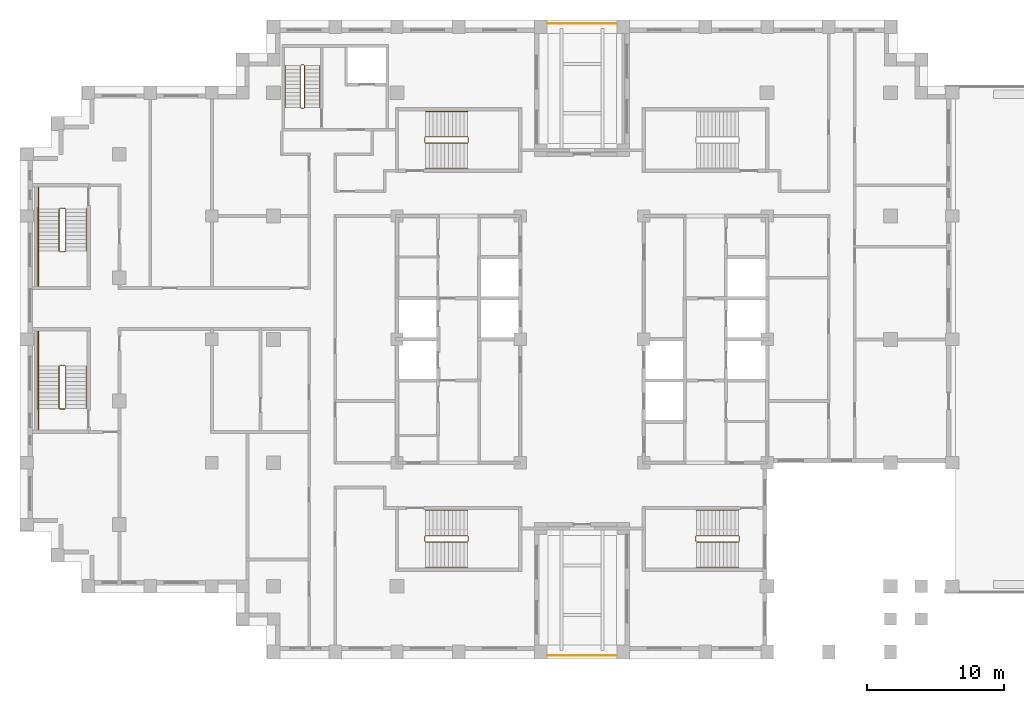
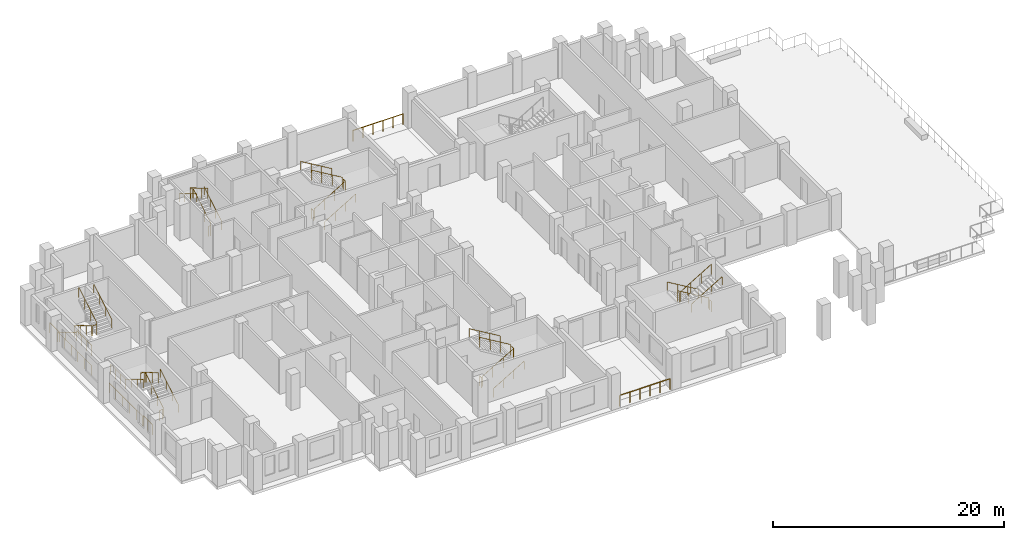
# One storey, part 11 of 12: 8 railings.
"""IFC4 building model written with IfcOpenShell, lengths in metres."""

from ifc_helpers import new_model, si_unit, direction, frame, origin, origin_2d, place, context, subcontext, project, spatial, circle, extrude, material, type_object, element, save


model = new_model("IFC4")

# Units and contexts
model_context = context("Model", 3, precision=1e-05, world=origin(), true_north=direction((0.0, 1.0)))
body_context = subcontext(model_context, "Body", "Model", "MODEL_VIEW")
ifc_project = project(units=[si_unit("LENGTHUNIT", "METRE"), si_unit("AREAUNIT", "SQUARE_METRE"), si_unit("VOLUMEUNIT", "CUBIC_METRE"), si_unit("PLANEANGLEUNIT", "RADIAN"), si_unit("MASSUNIT", "GRAM", prefix="KILO")], contexts=[model_context])

# Site, building, storey
site_placement = place(None, origin())
site = spatial("IfcSite", under=ifc_project, at=site_placement, CompositionType="ELEMENT")
building_placement = place(site_placement, origin())
building = spatial("IfcBuilding", under=site, at=building_placement, Name="Corbelhall Arena Tower", CompositionType="ELEMENT")
storey_placement = place(building_placement, frame((0.0, 0.0, 184.0)))
storey = spatial("IfcBuildingStorey", under=building, at=storey_placement, Name="L37", CompositionType="ELEMENT", Elevation=184.0)

# Railings
ifc_material = material(Name="Steel ASTM A500 Gr C", Category="steel")
railing_type_1 = type_object("IfcRailingType", Name="EV-GD1 Terrace guard 1100", PredefinedType="GUARDRAIL", material=ifc_material)
for number, where, name in (
    (1, (-2.5, 23.050048828125, 0.0), "Guard"),
    (2, (-2.5, -23.050048828125, 0.0), "Guard"),
):
    element("IfcRailing", number, at=place(storey_placement, frame(where)), inside=storey, type_object=railing_type_1, Name=name, PredefinedType="GUARDRAIL", context=body_context, shape_type="SweptSolid", body=[
        extrude(circle(Radius=0.02392578125, at=origin_2d()), frame((0.0, 0.0, 1.1259765625), z_axis=(1.0, 0.0, 0.0), x_axis=(0.0, 1.0, 0.0)), (0.0, 0.0, 1.0), 5.0),
        extrude(circle(Radius=0.02099609375, at=origin_2d()), origin(), (0.0, 0.0, 1.0), 1.101806640625),
        extrude(circle(Radius=0.02099609375, at=origin_2d()), frame((1.0, 0.0, 0.0)), (0.0, 0.0, 1.0), 1.101806640625),
        extrude(circle(Radius=0.02099609375, at=origin_2d()), frame((2.0, 0.0, 0.0)), (0.0, 0.0, 1.0), 1.101806640625),
        extrude(circle(Radius=0.02099609375, at=origin_2d()), frame((3.0, 0.0, 0.0)), (0.0, 0.0, 1.0), 1.101806640625),
        extrude(circle(Radius=0.02099609375, at=origin_2d()), frame((4.0, 0.0, 0.0)), (0.0, 0.0, 1.0), 1.101806640625),
        extrude(circle(Radius=0.02099609375, at=origin_2d()), frame((5.0, 0.0, 0.0)), (0.0, 0.0, 1.0), 1.101806640625),
    ])
railing_type_2 = type_object("IfcRailingType", Name="IN-GD-1100", PredefinedType="GUARDRAIL", material=ifc_material)
railing_1_placement = place(storey_placement, frame((-11.425048828125, 14.324951171875, 0.166748046875)))
element("IfcRailing", 3, at=railing_1_placement, inside=storey, type_object=railing_type_2, Name="L37 ST1 stair guards and handrails", PredefinedType="GUARDRAIL", context=body_context, shape_type="SweptSolid", body=[
    extrude(circle(Radius=0.02392578125, at=origin_2d()), frame((0.0, 0.0, 1.076171875), z_axis=(0.859308565015, 0.0, 0.511457515432), x_axis=(0.0, 1.0, 0.0)), (0.0, 0.0, 1.0), 3.58447265625),
    extrude(circle(Radius=0.02392578125, at=origin_2d()), frame((3.130126953125, 0.050048828125, 2.9091796875), z_axis=(0.0, 1.0, 0.0), x_axis=(-1.0, 0.0, 0.0)), (0.0, 0.0, 1.0), 0.35009765625),
    extrude(circle(Radius=0.02392578125, at=origin_2d()), frame((3.080078125, 0.449951171875, 3.076171875), z_axis=(-0.859308565015, 0.0, 0.511457515432), x_axis=(0.0, -1.0, 0.0)), (0.0, 0.0, 1.0), 3.58447265625),
    extrude(circle(Radius=0.02392578125, at=origin_2d()), frame((-0.050048828125, 0.050048828125, 0.9091796875), z_axis=(0.0, 1.0, 0.0), x_axis=(-1.0, 0.0, 0.0)), (0.0, 0.0, 1.0), 0.35009765625),
    extrude(circle(Radius=0.02392578125, at=origin_2d()), frame((0.0, -1.849853515625, 0.8759765625), z_axis=(0.859308565015, 0.0, 0.511457515432), x_axis=(0.0, 1.0, 0.0)), (0.0, 0.0, 1.0), 3.58447265625),
    extrude(circle(Radius=0.02392578125, at=origin_2d()), frame((3.080078125, 2.300048828125, 2.8759765625), z_axis=(-0.859308565015, 0.0, 0.511457515432), x_axis=(0.0, -1.0, 0.0)), (0.0, 0.0, 1.0), 3.58447265625),
    extrude(circle(Radius=0.02099609375, at=origin_2d()), origin(), (0.0, 0.0, 1.0), 1.052001953125),
    extrude(circle(Radius=0.02099609375, at=origin_2d()), frame((1.026611328125, 0.0, 0.611083984375)), (0.0, 0.0, 1.0), 1.052001953125),
    extrude(circle(Radius=0.02099609375, at=origin_2d()), frame((2.053466796875, 0.0, 1.22216796875)), (0.0, 0.0, 1.0), 1.052001953125),
    extrude(circle(Radius=0.02099609375, at=origin_2d()), frame((3.080078125, 0.0, 1.833251953125)), (0.0, 0.0, 1.0), 1.052001953125),
    extrude(circle(Radius=0.02099609375, at=origin_2d()), frame((3.130126953125, 0.050048828125, 1.833251953125)), (0.0, 0.0, 1.0), 1.052001953125),
    extrude(circle(Radius=0.02099609375, at=origin_2d()), frame((3.130126953125, 0.400146484375, 1.833251953125)), (0.0, 0.0, 1.0), 1.052001953125),
    extrude(circle(Radius=0.02099609375, at=origin_2d()), frame((3.080078125, 0.449951171875, 2.0)), (0.0, 0.0, 1.0), 1.052001953125),
    extrude(circle(Radius=0.02099609375, at=origin_2d()), frame((2.053466796875, 0.449951171875, 2.611083984375)), (0.0, 0.0, 1.0), 1.052001953125),
    extrude(circle(Radius=0.02099609375, at=origin_2d()), frame((1.026611328125, 0.449951171875, 3.22216796875)), (0.0, 0.0, 1.0), 1.052001953125),
    extrude(circle(Radius=0.02099609375, at=origin_2d()), frame((0.0, 0.449951171875, 3.833251953125)), (0.0, 0.0, 1.0), 1.052001953125),
    extrude(circle(Radius=0.02099609375, at=origin_2d()), frame((-0.050048828125, 0.050048828125, -0.166748046875)), (0.0, 0.0, 1.0), 1.052001953125),
    extrude(circle(Radius=0.02099609375, at=origin_2d()), frame((-0.050048828125, 0.400146484375, -0.166748046875)), (0.0, 0.0, 1.0), 1.052001953125),
    extrude(circle(Radius=0.02099609375, at=origin_2d()), frame((0.0, -1.849853515625, 0.0)), (0.0, 0.0, 1.0), 0.851806640625),
    extrude(circle(Radius=0.02099609375, at=origin_2d()), frame((1.026611328125, -1.849853515625, 0.611083984375)), (0.0, 0.0, 1.0), 0.851806640625),
    extrude(circle(Radius=0.02099609375, at=origin_2d()), frame((2.053466796875, -1.849853515625, 1.22216796875)), (0.0, 0.0, 1.0), 0.851806640625),
    extrude(circle(Radius=0.02099609375, at=origin_2d()), frame((3.080078125, -1.849853515625, 1.833251953125)), (0.0, 0.0, 1.0), 0.851806640625),
    extrude(circle(Radius=0.02099609375, at=origin_2d()), frame((3.080078125, 2.300048828125, 2.0)), (0.0, 0.0, 1.0), 0.851806640625),
    extrude(circle(Radius=0.02099609375, at=origin_2d()), frame((2.053466796875, 2.300048828125, 2.611083984375)), (0.0, 0.0, 1.0), 0.851806640625),
    extrude(circle(Radius=0.02099609375, at=origin_2d()), frame((1.026611328125, 2.300048828125, 3.22216796875)), (0.0, 0.0, 1.0), 0.851806640625),
    extrude(circle(Radius=0.02099609375, at=origin_2d()), frame((0.0, 2.300048828125, 3.833251953125)), (0.0, 0.0, 1.0), 0.851806640625),
])
railing_2_placement = place(storey_placement, frame((-11.425048828125, -14.77490234375, 0.166748046875)))
element("IfcRailing", 4, at=railing_2_placement, inside=storey, type_object=railing_type_2, Name="L37 ST2 stair guards and handrails", PredefinedType="GUARDRAIL", context=body_context, shape_type="SweptSolid", body=[
    extrude(circle(Radius=0.02392578125, at=origin_2d()), frame((0.0, 0.0, 1.076171875), z_axis=(0.859308565015, 0.0, 0.511457515432), x_axis=(0.0, 1.0, 0.0)), (0.0, 0.0, 1.0), 3.58447265625),
    extrude(circle(Radius=0.02392578125, at=origin_2d()), frame((3.130126953125, 0.0498046875, 2.9091796875), z_axis=(0.0, 1.0, 0.0), x_axis=(-1.0, 0.0, 0.0)), (0.0, 0.0, 1.0), 0.35009765625),
    extrude(circle(Radius=0.02392578125, at=origin_2d()), frame((3.080078125, 0.449951171875, 3.076171875), z_axis=(-0.859308565015, 0.0, 0.511457515432), x_axis=(0.0, -1.0, 0.0)), (0.0, 0.0, 1.0), 3.58447265625),
    extrude(circle(Radius=0.02392578125, at=origin_2d()), frame((-0.050048828125, 0.0498046875, 0.9091796875), z_axis=(0.0, 1.0, 0.0), x_axis=(-1.0, 0.0, 0.0)), (0.0, 0.0, 1.0), 0.35009765625),
    extrude(circle(Radius=0.02392578125, at=origin_2d()), frame((0.0, -1.85009765625, 0.8759765625), z_axis=(0.859308565015, 0.0, 0.511457515432), x_axis=(0.0, 1.0, 0.0)), (0.0, 0.0, 1.0), 3.58447265625),
    extrude(circle(Radius=0.02392578125, at=origin_2d()), frame((3.080078125, 2.2998046875, 2.8759765625), z_axis=(-0.859308565015, 0.0, 0.511457515432), x_axis=(0.0, -1.0, 0.0)), (0.0, 0.0, 1.0), 3.58447265625),
    extrude(circle(Radius=0.02099609375, at=origin_2d()), origin(), (0.0, 0.0, 1.0), 1.052001953125),
    extrude(circle(Radius=0.02099609375, at=origin_2d()), frame((1.026611328125, 0.0, 0.611083984375)), (0.0, 0.0, 1.0), 1.052001953125),
    extrude(circle(Radius=0.02099609375, at=origin_2d()), frame((2.053466796875, 0.0, 1.22216796875)), (0.0, 0.0, 1.0), 1.052001953125),
    extrude(circle(Radius=0.02099609375, at=origin_2d()), frame((3.080078125, 0.0, 1.833251953125)), (0.0, 0.0, 1.0), 1.052001953125),
    extrude(circle(Radius=0.02099609375, at=origin_2d()), frame((3.130126953125, 0.0498046875, 1.833251953125)), (0.0, 0.0, 1.0), 1.052001953125),
    extrude(circle(Radius=0.02099609375, at=origin_2d()), frame((3.130126953125, 0.39990234375, 1.833251953125)), (0.0, 0.0, 1.0), 1.052001953125),
    extrude(circle(Radius=0.02099609375, at=origin_2d()), frame((3.080078125, 0.449951171875, 2.0)), (0.0, 0.0, 1.0), 1.052001953125),
    extrude(circle(Radius=0.02099609375, at=origin_2d()), frame((2.053466796875, 0.449951171875, 2.611083984375)), (0.0, 0.0, 1.0), 1.052001953125),
    extrude(circle(Radius=0.02099609375, at=origin_2d()), frame((1.026611328125, 0.449951171875, 3.22216796875)), (0.0, 0.0, 1.0), 1.052001953125),
    extrude(circle(Radius=0.02099609375, at=origin_2d()), frame((0.0, 0.449951171875, 3.833251953125)), (0.0, 0.0, 1.0), 1.052001953125),
    extrude(circle(Radius=0.02099609375, at=origin_2d()), frame((-0.050048828125, 0.0498046875, -0.166748046875)), (0.0, 0.0, 1.0), 1.052001953125),
    extrude(circle(Radius=0.02099609375, at=origin_2d()), frame((-0.050048828125, 0.39990234375, -0.166748046875)), (0.0, 0.0, 1.0), 1.052001953125),
    extrude(circle(Radius=0.02099609375, at=origin_2d()), frame((0.0, -1.85009765625, 0.0)), (0.0, 0.0, 1.0), 0.851806640625),
    extrude(circle(Radius=0.02099609375, at=origin_2d()), frame((1.026611328125, -1.85009765625, 0.611083984375)), (0.0, 0.0, 1.0), 0.851806640625),
    extrude(circle(Radius=0.02099609375, at=origin_2d()), frame((2.053466796875, -1.85009765625, 1.22216796875)), (0.0, 0.0, 1.0), 0.851806640625),
    extrude(circle(Radius=0.02099609375, at=origin_2d()), frame((3.080078125, -1.85009765625, 1.833251953125)), (0.0, 0.0, 1.0), 0.851806640625),
    extrude(circle(Radius=0.02099609375, at=origin_2d()), frame((3.080078125, 2.2998046875, 2.0)), (0.0, 0.0, 1.0), 0.851806640625),
    extrude(circle(Radius=0.02099609375, at=origin_2d()), frame((2.053466796875, 2.2998046875, 2.611083984375)), (0.0, 0.0, 1.0), 0.851806640625),
    extrude(circle(Radius=0.02099609375, at=origin_2d()), frame((1.026611328125, 2.2998046875, 3.22216796875)), (0.0, 0.0, 1.0), 0.851806640625),
    extrude(circle(Radius=0.02099609375, at=origin_2d()), frame((0.0, 2.2998046875, 3.833251953125)), (0.0, 0.0, 1.0), 0.851806640625),
])
railing_3_placement = place(storey_placement, frame((11.425048828125, -14.324951171875, 0.166748046875)))
element("IfcRailing", 5, at=railing_3_placement, inside=storey, type_object=railing_type_2, Name="L37 ST4 stair guards and handrails", PredefinedType="GUARDRAIL", context=body_context, shape_type="SweptSolid", body=[
    extrude(circle(Radius=0.02392578125, at=origin_2d()), frame((0.0, 0.0, 1.076171875), z_axis=(-0.859308565015, 0.0, 0.511457515432), x_axis=(0.0, -1.0, 0.0)), (0.0, 0.0, 1.0), 3.58447265625),
    extrude(circle(Radius=0.02392578125, at=origin_2d()), frame((-3.130126953125, -0.050048828125, 2.9091796875), z_axis=(0.0, -1.0, 0.0), x_axis=(1.0, 0.0, 0.0)), (0.0, 0.0, 1.0), 0.35009765625),
    extrude(circle(Radius=0.02392578125, at=origin_2d()), frame((-3.080078125, -0.449951171875, 3.076171875), z_axis=(0.859308565015, 0.0, 0.511457515432), x_axis=(0.0, 1.0, 0.0)), (0.0, 0.0, 1.0), 3.58447265625),
    extrude(circle(Radius=0.02392578125, at=origin_2d()), frame((0.050048828125, -0.050048828125, 0.9091796875), z_axis=(0.0, -1.0, 0.0), x_axis=(1.0, 0.0, 0.0)), (0.0, 0.0, 1.0), 0.35009765625),
    extrude(circle(Radius=0.02392578125, at=origin_2d()), frame((0.0, 1.849853515625, 0.8759765625), z_axis=(-0.859308565015, 0.0, 0.511457515432), x_axis=(0.0, -1.0, 0.0)), (0.0, 0.0, 1.0), 3.58447265625),
    extrude(circle(Radius=0.02392578125, at=origin_2d()), frame((-3.080078125, -2.300048828125, 2.8759765625), z_axis=(0.859308565015, 0.0, 0.511457515432), x_axis=(0.0, 1.0, 0.0)), (0.0, 0.0, 1.0), 3.58447265625),
    extrude(circle(Radius=0.02099609375, at=origin_2d()), origin(), (0.0, 0.0, 1.0), 1.052001953125),
    extrude(circle(Radius=0.02099609375, at=origin_2d()), frame((-1.026611328125, 0.0, 0.611083984375)), (0.0, 0.0, 1.0), 1.052001953125),
    extrude(circle(Radius=0.02099609375, at=origin_2d()), frame((-2.053466796875, 0.0, 1.22216796875)), (0.0, 0.0, 1.0), 1.052001953125),
    extrude(circle(Radius=0.02099609375, at=origin_2d()), frame((-3.080078125, 0.0, 1.833251953125)), (0.0, 0.0, 1.0), 1.052001953125),
    extrude(circle(Radius=0.02099609375, at=origin_2d()), frame((-3.130126953125, -0.050048828125, 1.833251953125)), (0.0, 0.0, 1.0), 1.052001953125),
    extrude(circle(Radius=0.02099609375, at=origin_2d()), frame((-3.130126953125, -0.400146484375, 1.833251953125)), (0.0, 0.0, 1.0), 1.052001953125),
    extrude(circle(Radius=0.02099609375, at=origin_2d()), frame((-3.080078125, -0.449951171875, 2.0)), (0.0, 0.0, 1.0), 1.052001953125),
    extrude(circle(Radius=0.02099609375, at=origin_2d()), frame((-2.053466796875, -0.449951171875, 2.611083984375)), (0.0, 0.0, 1.0), 1.052001953125),
    extrude(circle(Radius=0.02099609375, at=origin_2d()), frame((-1.026611328125, -0.449951171875, 3.22216796875)), (0.0, 0.0, 1.0), 1.052001953125),
    extrude(circle(Radius=0.02099609375, at=origin_2d()), frame((0.0, -0.449951171875, 3.833251953125)), (0.0, 0.0, 1.0), 1.052001953125),
    extrude(circle(Radius=0.02099609375, at=origin_2d()), frame((0.050048828125, -0.050048828125, -0.166748046875)), (0.0, 0.0, 1.0), 1.052001953125),
    extrude(circle(Radius=0.02099609375, at=origin_2d()), frame((0.050048828125, -0.400146484375, -0.166748046875)), (0.0, 0.0, 1.0), 1.052001953125),
    extrude(circle(Radius=0.02099609375, at=origin_2d()), frame((0.0, 1.849853515625, 0.0)), (0.0, 0.0, 1.0), 0.851806640625),
    extrude(circle(Radius=0.02099609375, at=origin_2d()), frame((-1.026611328125, 1.849853515625, 0.611083984375)), (0.0, 0.0, 1.0), 0.851806640625),
    extrude(circle(Radius=0.02099609375, at=origin_2d()), frame((-2.053466796875, 1.849853515625, 1.22216796875)), (0.0, 0.0, 1.0), 0.851806640625),
    extrude(circle(Radius=0.02099609375, at=origin_2d()), frame((-3.080078125, 1.849853515625, 1.833251953125)), (0.0, 0.0, 1.0), 0.851806640625),
    extrude(circle(Radius=0.02099609375, at=origin_2d()), frame((-3.080078125, -2.300048828125, 2.0)), (0.0, 0.0, 1.0), 0.851806640625),
    extrude(circle(Radius=0.02099609375, at=origin_2d()), frame((-2.053466796875, -2.300048828125, 2.611083984375)), (0.0, 0.0, 1.0), 0.851806640625),
    extrude(circle(Radius=0.02099609375, at=origin_2d()), frame((-1.026611328125, -2.300048828125, 3.22216796875)), (0.0, 0.0, 1.0), 0.851806640625),
    extrude(circle(Radius=0.02099609375, at=origin_2d()), frame((0.0, -2.300048828125, 3.833251953125)), (0.0, 0.0, 1.0), 0.851806640625),
])
railing_4_placement = place(storey_placement, frame((-38.14990234375, 9.52490234375, 0.166748046875)))
element("IfcRailing", 6, at=railing_4_placement, inside=storey, type_object=railing_type_2, Name="L37 SC1 stair guards and handrails", PredefinedType="GUARDRAIL", context=body_context, shape_type="SweptSolid", body=[
    extrude(circle(Radius=0.02392578125, at=origin_2d()), frame((0.0, 0.0, 1.076171875), z_axis=(0.0, -0.859290745958, 0.51148745235), x_axis=(1.0, 0.0, 0.0)), (0.0, 0.0, 1.0), 3.584228515625),
    extrude(circle(Radius=0.02392578125, at=origin_2d()), frame((0.0498046875, -3.1298828125, 2.9091796875), z_axis=(1.0, 0.0, 0.0), x_axis=(0.0, 1.0, 0.0)), (0.0, 0.0, 1.0), 0.375),
    extrude(circle(Radius=0.02392578125, at=origin_2d()), frame((-1.5, -3.079833984375, 2.9091796875), z_axis=(0.0, -1.0, 0.0), x_axis=(1.0, 0.0, 0.0)), (0.0, 0.0, 1.0), 2.570068359375),
    extrude(circle(Radius=0.02392578125, at=origin_2d()), frame((0.474853515625, -3.079833984375, 3.076171875), z_axis=(0.0, 0.859290745958, 0.51148745235), x_axis=(-1.0, 0.0, 0.0)), (0.0, 0.0, 1.0), 3.584228515625),
    extrude(circle(Radius=0.02392578125, at=origin_2d()), frame((0.0498046875, 0.050048828125, 0.9091796875), z_axis=(1.0, 0.0, 0.0), x_axis=(0.0, 1.0, 0.0)), (0.0, 0.0, 1.0), 0.375),
    extrude(circle(Radius=0.02392578125, at=origin_2d()), frame((-1.5, 1.60009765625, 0.9091796875), z_axis=(0.0, -1.0, 0.0), x_axis=(1.0, 0.0, 0.0)), (0.0, 0.0, 1.0), 1.60009765625),
    extrude(circle(Radius=0.02392578125, at=origin_2d()), frame((-1.60009765625, 0.10009765625, 0.9091796875), z_axis=(0.0, -1.0, 0.0), x_axis=(1.0, 0.0, 0.0)), (0.0, 0.0, 1.0), 5.85009765625),
    extrude(circle(Radius=0.02392578125, at=origin_2d()), frame((-1.5, 0.0, 0.8759765625), z_axis=(0.0, -0.859290745958, 0.51148745235), x_axis=(1.0, 0.0, 0.0)), (0.0, 0.0, 1.0), 3.584228515625),
    extrude(circle(Radius=0.02392578125, at=origin_2d()), frame((1.974853515625, -3.079833984375, 2.8759765625), z_axis=(0.0, 0.859290745958, 0.51148745235), x_axis=(-1.0, 0.0, 0.0)), (0.0, 0.0, 1.0), 3.584228515625),
    extrude(circle(Radius=0.02099609375, at=origin_2d()), origin(), (0.0, 0.0, 1.0), 1.052001953125),
    extrude(circle(Radius=0.02099609375, at=origin_2d()), frame((0.0, -1.026611328125, 0.611083984375)), (0.0, 0.0, 1.0), 1.052001953125),
    extrude(circle(Radius=0.02099609375, at=origin_2d()), frame((0.0, -2.05322265625, 1.22216796875)), (0.0, 0.0, 1.0), 1.052001953125),
    extrude(circle(Radius=0.02099609375, at=origin_2d()), frame((0.0, -3.079833984375, 1.833251953125)), (0.0, 0.0, 1.0), 1.052001953125),
    extrude(circle(Radius=0.02099609375, at=origin_2d()), frame((0.0498046875, -3.1298828125, 1.833251953125)), (0.0, 0.0, 1.0), 1.052001953125),
    extrude(circle(Radius=0.02099609375, at=origin_2d()), frame((0.4248046875, -3.1298828125, 1.833251953125)), (0.0, 0.0, 1.0), 1.052001953125),
    extrude(circle(Radius=0.02099609375, at=origin_2d()), frame((-1.5, -3.079833984375, 1.833251953125)), (0.0, 0.0, 1.0), 1.052001953125),
    extrude(circle(Radius=0.02099609375, at=origin_2d()), frame((-1.5, -3.9365234375, 1.833251953125)), (0.0, 0.0, 1.0), 1.052001953125),
    extrude(circle(Radius=0.02099609375, at=origin_2d()), frame((-1.5, -4.793212890625, 1.833251953125)), (0.0, 0.0, 1.0), 1.052001953125),
    extrude(circle(Radius=0.02099609375, at=origin_2d()), frame((-1.5, -5.64990234375, 1.833251953125)), (0.0, 0.0, 1.0), 1.052001953125),
    extrude(circle(Radius=0.02099609375, at=origin_2d()), frame((0.474853515625, -3.079833984375, 2.0)), (0.0, 0.0, 1.0), 1.052001953125),
    extrude(circle(Radius=0.02099609375, at=origin_2d()), frame((0.474853515625, -2.05322265625, 2.611083984375)), (0.0, 0.0, 1.0), 1.052001953125),
    extrude(circle(Radius=0.02099609375, at=origin_2d()), frame((0.474853515625, -1.026611328125, 3.22216796875)), (0.0, 0.0, 1.0), 1.052001953125),
    extrude(circle(Radius=0.02099609375, at=origin_2d()), frame((0.474853515625, 0.0, 3.833251953125)), (0.0, 0.0, 1.0), 1.052001953125),
    extrude(circle(Radius=0.02099609375, at=origin_2d()), frame((0.0498046875, 0.050048828125, -0.166748046875)), (0.0, 0.0, 1.0), 1.052001953125),
    extrude(circle(Radius=0.02099609375, at=origin_2d()), frame((0.4248046875, 0.050048828125, -0.166748046875)), (0.0, 0.0, 1.0), 1.052001953125),
    extrude(circle(Radius=0.02099609375, at=origin_2d()), frame((-1.5, 1.60009765625, -0.166748046875)), (0.0, 0.0, 1.0), 1.052001953125),
    extrude(circle(Radius=0.02099609375, at=origin_2d()), frame((-1.5, 0.800048828125, -0.166748046875)), (0.0, 0.0, 1.0), 1.052001953125),
    extrude(circle(Radius=0.02099609375, at=origin_2d()), frame((-1.5, 0.0, -0.166748046875)), (0.0, 0.0, 1.0), 1.052001953125),
    extrude(circle(Radius=0.02099609375, at=origin_2d()), frame((-1.60009765625, 0.10009765625, -0.166748046875)), (0.0, 0.0, 1.0), 1.052001953125),
    extrude(circle(Radius=0.02099609375, at=origin_2d()), frame((-1.60009765625, -1.06982421875, -0.166748046875)), (0.0, 0.0, 1.0), 1.052001953125),
    extrude(circle(Radius=0.02099609375, at=origin_2d()), frame((-1.60009765625, -2.239990234375, -0.166748046875)), (0.0, 0.0, 1.0), 1.052001953125),
    extrude(circle(Radius=0.02099609375, at=origin_2d()), frame((-1.60009765625, -3.409912109375, -0.166748046875)), (0.0, 0.0, 1.0), 1.052001953125),
    extrude(circle(Radius=0.02099609375, at=origin_2d()), frame((-1.60009765625, -4.580078125, -0.166748046875)), (0.0, 0.0, 1.0), 1.052001953125),
    extrude(circle(Radius=0.02099609375, at=origin_2d()), frame((-1.60009765625, -5.75, -0.166748046875)), (0.0, 0.0, 1.0), 1.052001953125),
    extrude(circle(Radius=0.02099609375, at=origin_2d()), frame((-1.5, 0.0, 0.0)), (0.0, 0.0, 1.0), 0.851806640625),
    extrude(circle(Radius=0.02099609375, at=origin_2d()), frame((-1.5, -1.026611328125, 0.611083984375)), (0.0, 0.0, 1.0), 0.851806640625),
    extrude(circle(Radius=0.02099609375, at=origin_2d()), frame((-1.5, -2.05322265625, 1.22216796875)), (0.0, 0.0, 1.0), 0.851806640625),
    extrude(circle(Radius=0.02099609375, at=origin_2d()), frame((1.974853515625, -3.079833984375, 2.0)), (0.0, 0.0, 1.0), 0.851806640625),
    extrude(circle(Radius=0.02099609375, at=origin_2d()), frame((1.974853515625, -2.05322265625, 2.611083984375)), (0.0, 0.0, 1.0), 0.851806640625),
    extrude(circle(Radius=0.02099609375, at=origin_2d()), frame((1.974853515625, -1.026611328125, 3.22216796875)), (0.0, 0.0, 1.0), 0.851806640625),
    extrude(circle(Radius=0.02099609375, at=origin_2d()), frame((1.974853515625, 0.0, 3.833251953125)), (0.0, 0.0, 1.0), 0.851806640625),
])
railing_5_placement = place(storey_placement, frame((-37.675048828125, -5.02490234375, 0.166748046875)))
element("IfcRailing", 7, at=railing_5_placement, inside=storey, type_object=railing_type_2, Name="L37 SC2 stair guards and handrails", PredefinedType="GUARDRAIL", context=body_context, shape_type="SweptSolid", body=[
    extrude(circle(Radius=0.02392578125, at=origin_2d()), frame((0.0, 0.0, 1.076171875), z_axis=(0.0, 0.859290745958, 0.51148745235), x_axis=(-1.0, 0.0, 0.0)), (0.0, 0.0, 1.0), 3.584228515625),
    extrude(circle(Radius=0.02392578125, at=origin_2d()), frame((-0.050048828125, 3.1298828125, 2.9091796875), z_axis=(-1.0, 0.0, 0.0), x_axis=(0.0, -1.0, 0.0)), (0.0, 0.0, 1.0), 0.375),
    extrude(circle(Radius=0.02392578125, at=origin_2d()), frame((-1.974853515625, 3.079833984375, 2.9091796875), z_axis=(0.0, 1.0, 0.0), x_axis=(-1.0, 0.0, 0.0)), (0.0, 0.0, 1.0), 2.570068359375),
    extrude(circle(Radius=0.02392578125, at=origin_2d()), frame((-0.474853515625, 3.079833984375, 3.076171875), z_axis=(0.0, -0.859290745958, 0.51148745235), x_axis=(1.0, 0.0, 0.0)), (0.0, 0.0, 1.0), 3.584228515625),
    extrude(circle(Radius=0.02392578125, at=origin_2d()), frame((-0.050048828125, -0.050048828125, 0.9091796875), z_axis=(-1.0, 0.0, 0.0), x_axis=(0.0, -1.0, 0.0)), (0.0, 0.0, 1.0), 0.375),
    extrude(circle(Radius=0.02392578125, at=origin_2d()), frame((-1.974853515625, -1.60009765625, 0.9091796875), z_axis=(0.0, 1.0, 0.0), x_axis=(-1.0, 0.0, 0.0)), (0.0, 0.0, 1.0), 1.60009765625),
    extrude(circle(Radius=0.02392578125, at=origin_2d()), frame((-2.074951171875, -0.10009765625, 0.9091796875), z_axis=(0.0, 1.0, 0.0), x_axis=(-1.0, 0.0, 0.0)), (0.0, 0.0, 1.0), 5.85009765625),
    extrude(circle(Radius=0.02392578125, at=origin_2d()), frame((1.5, 0.0, 0.8759765625), z_axis=(0.0, 0.859290745958, 0.51148745235), x_axis=(-1.0, 0.0, 0.0)), (0.0, 0.0, 1.0), 3.584228515625),
    extrude(circle(Radius=0.02392578125, at=origin_2d()), frame((-1.974853515625, 3.079833984375, 2.8759765625), z_axis=(0.0, -0.859290745958, 0.51148745235), x_axis=(1.0, 0.0, 0.0)), (0.0, 0.0, 1.0), 3.584228515625),
    extrude(circle(Radius=0.02099609375, at=origin_2d()), origin(), (0.0, 0.0, 1.0), 1.052001953125),
    extrude(circle(Radius=0.02099609375, at=origin_2d()), frame((0.0, 1.026611328125, 0.611083984375)), (0.0, 0.0, 1.0), 1.052001953125),
    extrude(circle(Radius=0.02099609375, at=origin_2d()), frame((0.0, 2.05322265625, 1.22216796875)), (0.0, 0.0, 1.0), 1.052001953125),
    extrude(circle(Radius=0.02099609375, at=origin_2d()), frame((0.0, 3.079833984375, 1.833251953125)), (0.0, 0.0, 1.0), 1.052001953125),
    extrude(circle(Radius=0.02099609375, at=origin_2d()), frame((-0.050048828125, 3.1298828125, 1.833251953125)), (0.0, 0.0, 1.0), 1.052001953125),
    extrude(circle(Radius=0.02099609375, at=origin_2d()), frame((-0.425048828125, 3.1298828125, 1.833251953125)), (0.0, 0.0, 1.0), 1.052001953125),
    extrude(circle(Radius=0.02099609375, at=origin_2d()), frame((-1.974853515625, 3.079833984375, 1.833251953125)), (0.0, 0.0, 1.0), 1.052001953125),
    extrude(circle(Radius=0.02099609375, at=origin_2d()), frame((-1.974853515625, 3.9365234375, 1.833251953125)), (0.0, 0.0, 1.0), 1.052001953125),
    extrude(circle(Radius=0.02099609375, at=origin_2d()), frame((-1.974853515625, 4.793212890625, 1.833251953125)), (0.0, 0.0, 1.0), 1.052001953125),
    extrude(circle(Radius=0.02099609375, at=origin_2d()), frame((-1.974853515625, 5.64990234375, 1.833251953125)), (0.0, 0.0, 1.0), 1.052001953125),
    extrude(circle(Radius=0.02099609375, at=origin_2d()), frame((-0.474853515625, 3.079833984375, 2.0)), (0.0, 0.0, 1.0), 1.052001953125),
    extrude(circle(Radius=0.02099609375, at=origin_2d()), frame((-0.474853515625, 2.05322265625, 2.611083984375)), (0.0, 0.0, 1.0), 1.052001953125),
    extrude(circle(Radius=0.02099609375, at=origin_2d()), frame((-0.474853515625, 1.026611328125, 3.22216796875)), (0.0, 0.0, 1.0), 1.052001953125),
    extrude(circle(Radius=0.02099609375, at=origin_2d()), frame((-0.474853515625, 0.0, 3.833251953125)), (0.0, 0.0, 1.0), 1.052001953125),
    extrude(circle(Radius=0.02099609375, at=origin_2d()), frame((-0.050048828125, -0.050048828125, -0.166748046875)), (0.0, 0.0, 1.0), 1.052001953125),
    extrude(circle(Radius=0.02099609375, at=origin_2d()), frame((-0.425048828125, -0.050048828125, -0.166748046875)), (0.0, 0.0, 1.0), 1.052001953125),
    extrude(circle(Radius=0.02099609375, at=origin_2d()), frame((-1.974853515625, -1.60009765625, -0.166748046875)), (0.0, 0.0, 1.0), 1.052001953125),
    extrude(circle(Radius=0.02099609375, at=origin_2d()), frame((-1.974853515625, -0.800048828125, -0.166748046875)), (0.0, 0.0, 1.0), 1.052001953125),
    extrude(circle(Radius=0.02099609375, at=origin_2d()), frame((-1.974853515625, 0.0, -0.166748046875)), (0.0, 0.0, 1.0), 1.052001953125),
    extrude(circle(Radius=0.02099609375, at=origin_2d()), frame((-2.074951171875, -0.10009765625, -0.166748046875)), (0.0, 0.0, 1.0), 1.052001953125),
    extrude(circle(Radius=0.02099609375, at=origin_2d()), frame((-2.074951171875, 1.06982421875, -0.166748046875)), (0.0, 0.0, 1.0), 1.052001953125),
    extrude(circle(Radius=0.02099609375, at=origin_2d()), frame((-2.074951171875, 2.239990234375, -0.166748046875)), (0.0, 0.0, 1.0), 1.052001953125),
    extrude(circle(Radius=0.02099609375, at=origin_2d()), frame((-2.074951171875, 3.409912109375, -0.166748046875)), (0.0, 0.0, 1.0), 1.052001953125),
    extrude(circle(Radius=0.02099609375, at=origin_2d()), frame((-2.074951171875, 4.580078125, -0.166748046875)), (0.0, 0.0, 1.0), 1.052001953125),
    extrude(circle(Radius=0.02099609375, at=origin_2d()), frame((-2.074951171875, 5.75, -0.166748046875)), (0.0, 0.0, 1.0), 1.052001953125),
    extrude(circle(Radius=0.02099609375, at=origin_2d()), frame((1.5, 0.0, 0.0)), (0.0, 0.0, 1.0), 0.851806640625),
    extrude(circle(Radius=0.02099609375, at=origin_2d()), frame((1.5, 1.026611328125, 0.611083984375)), (0.0, 0.0, 1.0), 0.851806640625),
    extrude(circle(Radius=0.02099609375, at=origin_2d()), frame((1.5, 2.05322265625, 1.22216796875)), (0.0, 0.0, 1.0), 0.851806640625),
    extrude(circle(Radius=0.02099609375, at=origin_2d()), frame((1.5, 3.079833984375, 1.833251953125)), (0.0, 0.0, 1.0), 0.851806640625),
    extrude(circle(Radius=0.02099609375, at=origin_2d()), frame((-1.974853515625, 3.079833984375, 2.0)), (0.0, 0.0, 1.0), 0.851806640625),
    extrude(circle(Radius=0.02099609375, at=origin_2d()), frame((-1.974853515625, 2.05322265625, 2.611083984375)), (0.0, 0.0, 1.0), 0.851806640625),
    extrude(circle(Radius=0.02099609375, at=origin_2d()), frame((-1.974853515625, 1.026611328125, 3.22216796875)), (0.0, 0.0, 1.0), 0.851806640625),
    extrude(circle(Radius=0.02099609375, at=origin_2d()), frame((-1.974853515625, 0.0, 3.833251953125)), (0.0, 0.0, 1.0), 0.851806640625),
])
railing_6_placement = place(storey_placement, frame((-20.2451171875, 16.89990234375, 0.166748046875)))
element("IfcRailing", 8, at=railing_6_placement, inside=storey, type_object=railing_type_2, Name="L37 ST5 stair guards and handrails", PredefinedType="GUARDRAIL", context=body_context, shape_type="SweptSolid", body=[
    extrude(circle(Radius=0.02392578125, at=origin_2d()), frame((0.0, 0.0, 1.076171875), z_axis=(0.0, 0.859308565015, 0.511457515432), x_axis=(-1.0, 0.0, 0.0)), (0.0, 0.0, 1.0), 3.58447265625),
    extrude(circle(Radius=0.02392578125, at=origin_2d()), frame((-0.0498046875, 3.130126953125, 2.9091796875), z_axis=(-1.0, 0.0, 0.0), x_axis=(0.0, -1.0, 0.0)), (0.0, 0.0, 1.0), 0.2001953125),
    extrude(circle(Radius=0.02392578125, at=origin_2d()), frame((-0.2998046875, 3.080078125, 3.076171875), z_axis=(0.0, -0.859308565015, 0.511457515432), x_axis=(1.0, 0.0, 0.0)), (0.0, 0.0, 1.0), 3.58447265625),
    extrude(circle(Radius=0.02392578125, at=origin_2d()), frame((-0.0498046875, -0.0498046875, 0.9091796875), z_axis=(-1.0, 0.0, 0.0), x_axis=(0.0, -1.0, 0.0)), (0.0, 0.0, 1.0), 0.2001953125),
    extrude(circle(Radius=0.02392578125, at=origin_2d()), frame((1.10009765625, 0.0, 0.8759765625), z_axis=(0.0, 0.859308565015, 0.511457515432), x_axis=(-1.0, 0.0, 0.0)), (0.0, 0.0, 1.0), 3.58447265625),
    extrude(circle(Radius=0.02392578125, at=origin_2d()), frame((-1.39990234375, 3.080078125, 2.8759765625), z_axis=(0.0, -0.859308565015, 0.511457515432), x_axis=(1.0, 0.0, 0.0)), (0.0, 0.0, 1.0), 3.58447265625),
    extrude(circle(Radius=0.02099609375, at=origin_2d()), origin(), (0.0, 0.0, 1.0), 1.052001953125),
    extrude(circle(Radius=0.02099609375, at=origin_2d()), frame((0.0, 1.026611328125, 0.611083984375)), (0.0, 0.0, 1.0), 1.052001953125),
    extrude(circle(Radius=0.02099609375, at=origin_2d()), frame((0.0, 2.053466796875, 1.22216796875)), (0.0, 0.0, 1.0), 1.052001953125),
    extrude(circle(Radius=0.02099609375, at=origin_2d()), frame((0.0, 3.080078125, 1.833251953125)), (0.0, 0.0, 1.0), 1.052001953125),
    extrude(circle(Radius=0.02099609375, at=origin_2d()), frame((-0.0498046875, 3.130126953125, 1.833251953125)), (0.0, 0.0, 1.0), 1.052001953125),
    extrude(circle(Radius=0.02099609375, at=origin_2d()), frame((-0.25, 3.130126953125, 1.833251953125)), (0.0, 0.0, 1.0), 1.052001953125),
    extrude(circle(Radius=0.02099609375, at=origin_2d()), frame((-0.2998046875, 3.080078125, 2.0)), (0.0, 0.0, 1.0), 1.052001953125),
    extrude(circle(Radius=0.02099609375, at=origin_2d()), frame((-0.2998046875, 2.053466796875, 2.611083984375)), (0.0, 0.0, 1.0), 1.052001953125),
    extrude(circle(Radius=0.02099609375, at=origin_2d()), frame((-0.2998046875, 1.026611328125, 3.22216796875)), (0.0, 0.0, 1.0), 1.052001953125),
    extrude(circle(Radius=0.02099609375, at=origin_2d()), frame((-0.2998046875, 0.0, 3.833251953125)), (0.0, 0.0, 1.0), 1.052001953125),
    extrude(circle(Radius=0.02099609375, at=origin_2d()), frame((-0.0498046875, -0.0498046875, -0.166748046875)), (0.0, 0.0, 1.0), 1.052001953125),
    extrude(circle(Radius=0.02099609375, at=origin_2d()), frame((-0.25, -0.0498046875, -0.166748046875)), (0.0, 0.0, 1.0), 1.052001953125),
    extrude(circle(Radius=0.02099609375, at=origin_2d()), frame((1.10009765625, 0.0, 0.0)), (0.0, 0.0, 1.0), 0.851806640625),
    extrude(circle(Radius=0.02099609375, at=origin_2d()), frame((1.10009765625, 1.026611328125, 0.611083984375)), (0.0, 0.0, 1.0), 0.851806640625),
    extrude(circle(Radius=0.02099609375, at=origin_2d()), frame((1.10009765625, 2.053466796875, 1.22216796875)), (0.0, 0.0, 1.0), 0.851806640625),
    extrude(circle(Radius=0.02099609375, at=origin_2d()), frame((1.10009765625, 3.080078125, 1.833251953125)), (0.0, 0.0, 1.0), 0.851806640625),
    extrude(circle(Radius=0.02099609375, at=origin_2d()), frame((-1.39990234375, 3.080078125, 2.0)), (0.0, 0.0, 1.0), 0.851806640625),
    extrude(circle(Radius=0.02099609375, at=origin_2d()), frame((-1.39990234375, 2.053466796875, 2.611083984375)), (0.0, 0.0, 1.0), 0.851806640625),
    extrude(circle(Radius=0.02099609375, at=origin_2d()), frame((-1.39990234375, 1.026611328125, 3.22216796875)), (0.0, 0.0, 1.0), 0.851806640625),
    extrude(circle(Radius=0.02099609375, at=origin_2d()), frame((-1.39990234375, 0.0, 3.833251953125)), (0.0, 0.0, 1.0), 0.851806640625),
])

save(model, "model.ifc")
